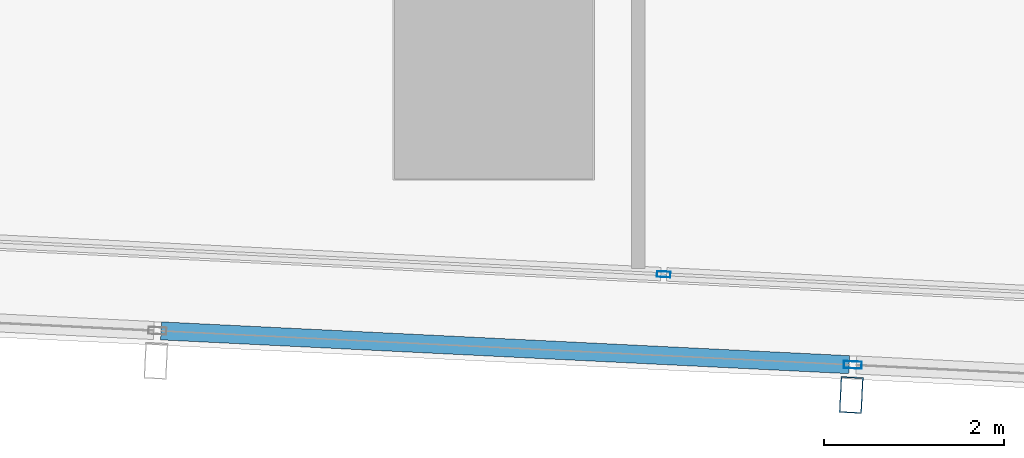
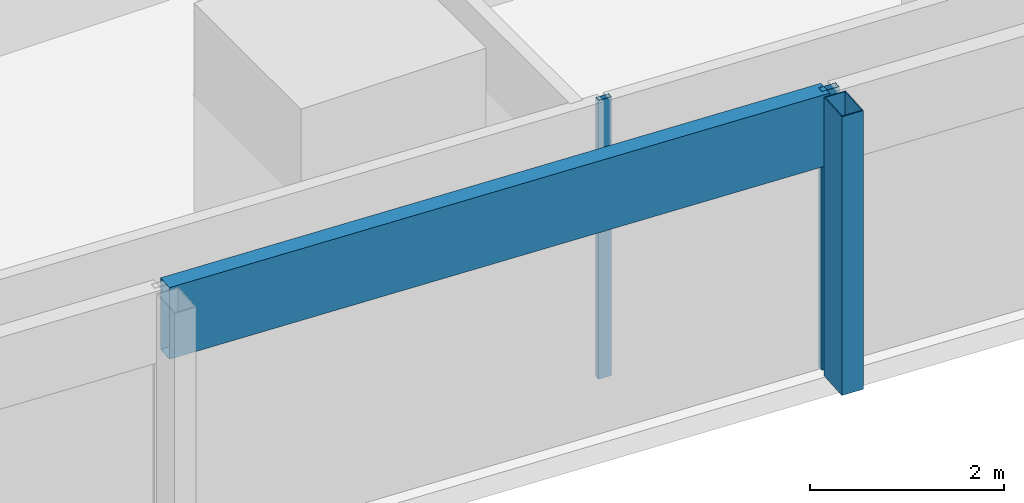
# One storey, part 6 of 42: 4 members, 2 elements without a shape of their own.
"""IFC4 building model written with IfcOpenShell, lengths in metres."""

from ifc_helpers import new_model, si_unit, direction, frame, origin, origin_2d, place, context, subcontext, project, spatial, hollow_rectangle, extrude, material, material_profile, profile_set, type_object, element, aggregate, save


model = new_model("IFC4")

# Units and contexts
model_context = context("Model", 3, precision=1e-05, world=origin(), true_north=direction((0.0, 1.0)))
body_context = subcontext(model_context, "Body", "Model", "MODEL_VIEW")
ifc_project = project(units=[si_unit("LENGTHUNIT", "METRE"), si_unit("AREAUNIT", "SQUARE_METRE"), si_unit("VOLUMEUNIT", "CUBIC_METRE"), si_unit("PLANEANGLEUNIT", "RADIAN"), si_unit("MASSUNIT", "GRAM", prefix="KILO")], contexts=[model_context])

# Site, building, storey
site_placement = place(None, origin())
site = spatial("IfcSite", under=ifc_project, at=site_placement, CompositionType="ELEMENT")
building_placement = place(site_placement, origin())
building = spatial("IfcBuilding", under=site, at=building_placement, Name="Rekha Terrace Tower", CompositionType="ELEMENT")
storey_placement = place(building_placement, frame((0.0, 0.0, 55.39990234375)))
storey = spatial("IfcBuildingStorey", under=building, at=storey_placement, Name="L13", CompositionType="ELEMENT", Elevation=55.39990234375)

# Curtain wall, member
ifc_material_1 = material(Name="Aluminium framing", Category="aluminium")
curtain_wall_type_1 = type_object("IfcCurtainWallType", Name="CW2 double skin outer glazing", PredefinedType="USERDEFINED", material=ifc_material_1)
curtain_wall_1_placement = place(storey_placement, origin())
curtain_wall_1 = element("IfcCurtainWall", 1, at=curtain_wall_1_placement, inside=storey, type_object=curtain_wall_type_1, Name="CW2 double skin outer glazing", ObjectType="DOUBLE SKIN OUTER GLAZING", PredefinedType="USERDEFINED")
ifc_material_2 = material(Name="Steel S355 with fluorocarbon finish", Category="steel")
ifc_material_profile_1 = material_profile(ifc_material_2, hollow_rectangle(XDim=0.25, YDim=0.39990234375, WallThickness=0.012451171875, at=origin_2d()), Name="RHS400x250x12.5")
ifc_profile_set_1 = profile_set([ifc_material_profile_1], Name="Steel S355 with fluorocarbon finish")
member_type_1 = type_object("IfcMemberType", Name="BL1 facade blade RHS 400 x 250", PredefinedType="USERDEFINED", material=ifc_profile_set_1)
member_1_placement = place(storey_placement, frame((37.562744140625, 4.904296875, 0.0), z_axis=(0.0, 0.0, 1.0), x_axis=(0.998796226835, -0.049051985279, 0.0)))
member_1 = element("IfcMember", 2, at=member_1_placement, type_object=member_type_1, Name="Facade blade", ObjectType="FACADE BLADE", PredefinedType="USERDEFINED", context=body_context, shape_type="SweptSolid", body=[
    extrude(hollow_rectangle(XDim=0.25, YDim=0.39990234375, WallThickness=0.012451171875, at=origin_2d()), origin(), (0.0, 0.0, 1.0), 3.5),
])

curtain_wall_type_2 = type_object("IfcCurtainWallType", Name="CW1 double skin inner glazing", PredefinedType="USERDEFINED", material=ifc_material_1)
curtain_wall_2_placement = place(storey_placement, origin())
curtain_wall_2 = element("IfcCurtainWall", 3, at=curtain_wall_2_placement, inside=storey, type_object=curtain_wall_type_2, Name="CW1 double skin inner glazing", ObjectType="DOUBLE SKIN INNER GLAZING", PredefinedType="USERDEFINED")
ifc_material_3 = material(Name="Aluminium mullion section", Category="aluminium")
ifc_material_profile_2 = material_profile(ifc_material_3, hollow_rectangle(XDim=0.06494140625, YDim=0.14990234375, WallThickness=0.00390625, at=origin_2d()), Name="AL RHS 65x150")
ifc_profile_set_2 = profile_set([ifc_material_profile_2], Name="Aluminium mullion section")
member_type_2 = type_object("IfcMemberType", Name="CW1 mullion RHS 65 x 150", PredefinedType="MULLION", material=ifc_profile_set_2)
member_2_placement = place(storey_placement, frame((35.48388671875, 6.24267578125, 0.0), z_axis=(0.0, 0.0, 1.0), x_axis=(0.049051717746, 0.998796239974, 0.0)))
member_2 = element("IfcMember", 4, at=member_2_placement, type_object=member_type_2, Name="CW1 mullion 3", PredefinedType="MULLION", context=body_context, shape_type="SweptSolid", body=[
    extrude(hollow_rectangle(XDim=0.06494140625, YDim=0.14990234375, WallThickness=0.00390625, at=origin_2d()), origin(), (0.0, 0.0, 1.0), 3.5),
])
aggregate(curtain_wall_2, [member_2])

# Member
ifc_material_profile_3 = material_profile(ifc_material_3, hollow_rectangle(XDim=0.080078125, YDim=0.199951171875, WallThickness=0.00390625, at=origin_2d()), Name="AL RHS 80x200")
ifc_profile_set_3 = profile_set([ifc_material_profile_3], Name="Aluminium mullion section")
member_type_3 = type_object("IfcMemberType", Name="CW2 mullion RHS 80 x 200", PredefinedType="MULLION", material=ifc_profile_set_3)
member_3_placement = place(storey_placement, frame((37.5791015625, 5.23876953125, 0.0), z_axis=(0.0, 0.0, 1.0), x_axis=(0.049051717746, 0.998796239974, 0.0)))
member_3 = element("IfcMember", 5, at=member_3_placement, type_object=member_type_3, Name="CW2 mullion 5", PredefinedType="MULLION", context=body_context, shape_type="SweptSolid", body=[
    extrude(hollow_rectangle(XDim=0.080078125, YDim=0.199951171875, WallThickness=0.00390625, at=origin_2d()), origin(), (0.0, 0.0, 1.0), 3.5),
])

ifc_material_4 = material(Name="Insulated aluminium spandrel box", Category="aluminium")
ifc_material_profile_4 = material_profile(ifc_material_4, hollow_rectangle(XDim=0.199951171875, YDim=0.89990234375, WallThickness=0.0029296875, at=origin_2d()), Name="AL SPANDREL BOX 200x900")
ifc_profile_set_4 = profile_set([ifc_material_profile_4], Name="Insulated aluminium spandrel box")
member_type_4 = type_object("IfcMemberType", Name="CW2 spandrel transom 200 x 900", PredefinedType="USERDEFINED", material=ifc_profile_set_4)
member_4_placement = place(storey_placement, frame((29.91259765625, 5.615234375, 3.050048828125), z_axis=(0.998796434643, -0.049047753721, 0.0), x_axis=(0.049047753721, 0.998796434643, 0.0)))
member_4 = element("IfcMember", 6, at=member_4_placement, type_object=member_type_4, Name="CW2 spandrel transom 4", ObjectType="TRANSOM", PredefinedType="USERDEFINED", context=body_context, shape_type="SweptSolid", body=[
    extrude(hollow_rectangle(XDim=0.199951171875, YDim=0.89990234375, WallThickness=0.0029296875, at=origin_2d()), origin(), (0.0, 0.0, 1.0), 7.6357421875),
])

aggregate(curtain_wall_1, [member_3, member_4, member_1])

save(model, "model.ifc")
